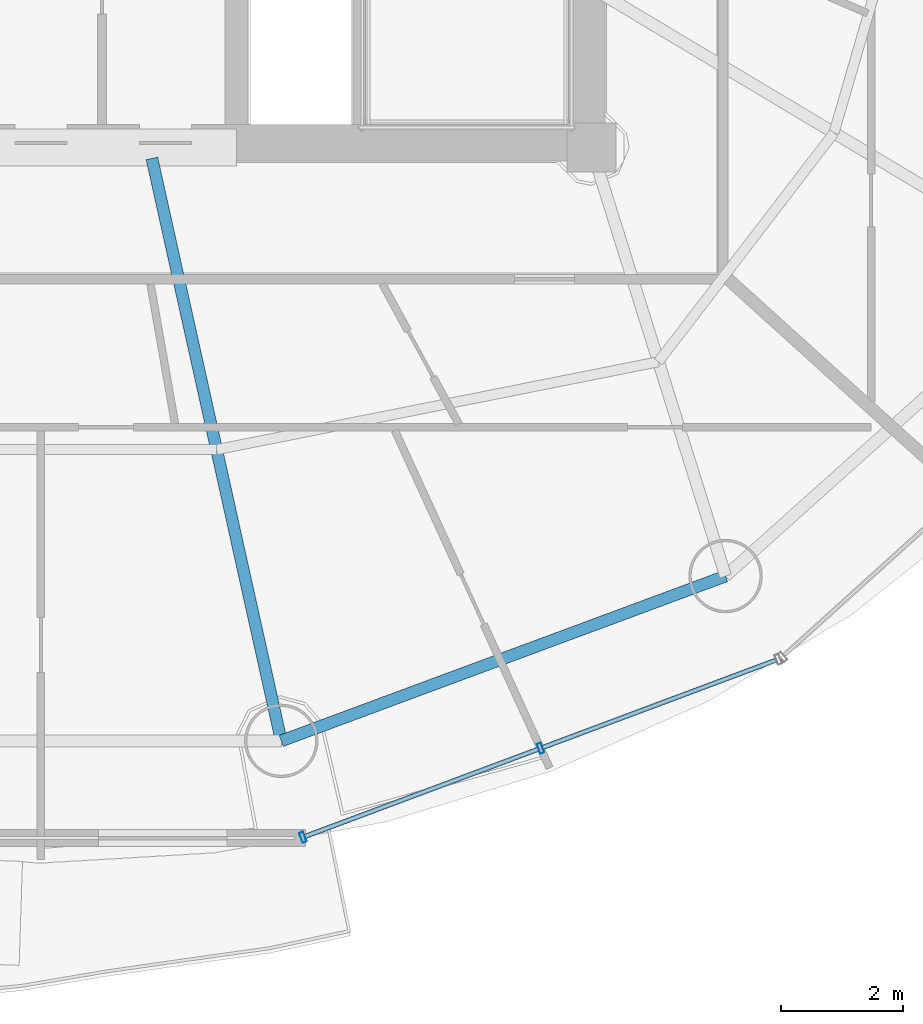
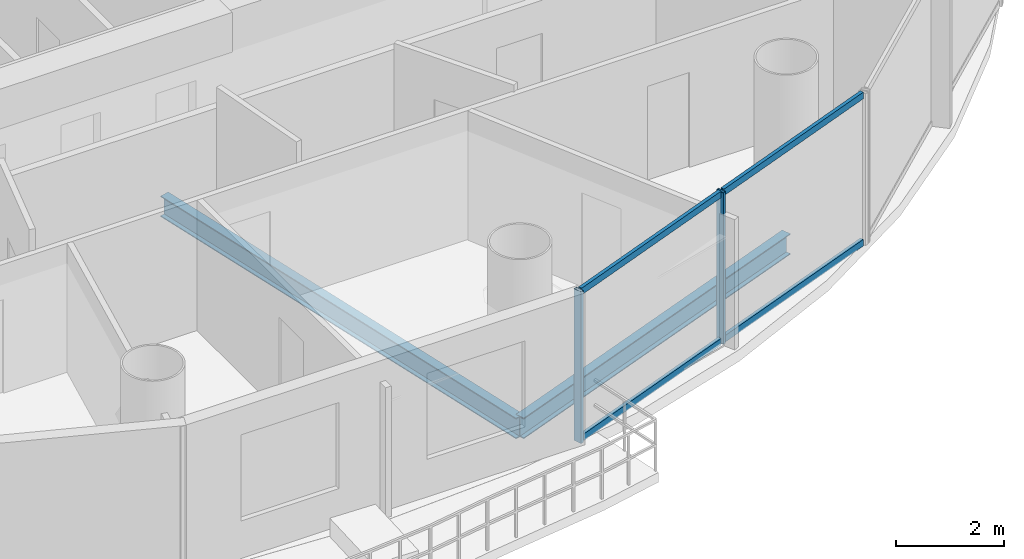
# One storey, part 5 of 26: 6 members, 2 beams, 1 element without a shape of its own.
"""IFC4 building model written with IfcOpenShell, lengths in metres."""

import ifcopenshell
import ifcopenshell.guid

model = None  # the IFC model being written
_history = None  # IfcOwnerHistory: only IFC2X3 demands one
_inside = {}  # id of a spatial element -> (the spatial element, [elements in it])
_under = {}  # id of a project, library or spatial element -> (it, [spatial elements below it])
_declared = {}  # id of a project -> (the project, [libraries it declares])
_typed = {}  # id of a type object -> (the type object, [elements of that type])
_made_of = {}  # id of a material, layer set ... -> (it, [elements and type objects made of it])


def new_model(schema):
    """Start an empty IFC model of exactly this schema.

    Asked for "IFC4X3", IfcOpenShell would pick the latest addendum, in which some entities
    have other attributes; the version numbers below select the first issue.
    IFC2X3 requires an IfcOwnerHistory on every rooted entity: one is made here for all.
    """
    global model, _history
    if schema == "IFC4X3":
        model = ifcopenshell.file(schema_version=(4, 3, 0, 0))
    else:
        model = ifcopenshell.file(schema=schema)
    _inside.clear()
    _under.clear()
    _declared.clear()
    _typed.clear()
    _made_of.clear()
    _history = None
    if model.schema == "IFC2X3":
        org = make("IfcOrganization", Name="unknown")
        user = make(
            "IfcPersonAndOrganization",
            ThePerson=make("IfcPerson", FamilyName="unknown"),
            TheOrganization=org,
        )
        app = make(
            "IfcApplication",
            ApplicationDeveloper=org,
            Version="unknown",
            ApplicationFullName="unknown",
            ApplicationIdentifier="unknown",
        )
        _history = make(
            "IfcOwnerHistory",
            OwningUser=user,
            OwningApplication=app,
            ChangeAction="ADDED",
            CreationDate=0,
        )
    return model


def make(cls, **values):
    """One entity of the class cls with the attributes given. An attribute that is None is left unset."""
    return model.create_entity(
        cls, **{name: value for name, value in values.items() if value is not None}
    )


def rooted(cls, **values):
    """An entity with a GlobalId (a new one), such as an element, a storey or a relation."""
    return make(cls, GlobalId=ifcopenshell.guid.new(), OwnerHistory=_history, **values)


def si_unit(unit_type, name, prefix=None):
    """IfcSIUnit, for example si_unit("LENGTHUNIT", "METRE", prefix="MILLI")."""
    return make("IfcSIUnit", UnitType=unit_type, Prefix=prefix, Name=name)


def assignment(units):
    """IfcUnitAssignment: the units of a project."""
    return None if units is None else make("IfcUnitAssignment", Units=units)


def point(xyz):
    """IfcCartesianPoint."""
    return None if xyz is None else make("IfcCartesianPoint", Coordinates=xyz)


def direction(xyz):
    """IfcDirection."""
    return None if xyz is None else make("IfcDirection", DirectionRatios=xyz)


def frame(location, z_axis=None, x_axis=None):
    """IfcAxis2Placement3D, a coordinate frame: its origin and axes. An axis left out is left unset."""
    return make(
        "IfcAxis2Placement3D",
        Location=point(location),
        Axis=direction(z_axis),
        RefDirection=direction(x_axis),
    )


def frame_2d(location, x_axis=None):
    """IfcAxis2Placement2D, a coordinate frame in the plane: its origin and x axis."""
    return make(
        "IfcAxis2Placement2D", Location=point(location), RefDirection=direction(x_axis)
    )


def origin():
    """The frame at (0, 0, 0) with its axes left unset."""
    return frame((0.0, 0.0, 0.0))


def origin_2d():
    """The frame at (0, 0) in the plane with its x axis left unset."""
    return frame_2d((0.0, 0.0))


def place(relative_to, where):
    """IfcLocalPlacement: puts the frame where relative to a parent placement (None: the world)."""
    return make(
        "IfcLocalPlacement", PlacementRelTo=relative_to, RelativePlacement=where
    )


def context(
    kind, dimensions, precision=None, world=None, true_north=None, identifier=None
):
    """IfcGeometricRepresentationContext, for example the 3D "Model" context."""
    return make(
        "IfcGeometricRepresentationContext",
        ContextIdentifier=identifier,
        ContextType=kind,
        CoordinateSpaceDimension=dimensions,
        Precision=precision,
        WorldCoordinateSystem=world,
        TrueNorth=true_north,
    )


def subcontext(parent, identifier, kind, view, scale=None):
    """IfcGeometricRepresentationSubContext, for example "Body" below "Model"."""
    return make(
        "IfcGeometricRepresentationSubContext",
        ContextIdentifier=identifier,
        ContextType=kind,
        ParentContext=parent,
        TargetScale=scale,
        TargetView=view,
    )


def project(units=None, contexts=None):
    """IfcProject with its units and contexts."""
    return rooted(
        "IfcProject",
        Name="project",
        RepresentationContexts=contexts,
        UnitsInContext=assignment(units),
    )


def spatial(cls, under=None, at=None, **own):
    """A site, building, storey or space (cls), placed at a placement, below another one or the project."""
    s = rooted(cls, ObjectPlacement=at, **own)
    if under is not None:
        _under.setdefault(under.id(), (under, []))[1].append(s)
    return s


def profile(cls, at=None, kind="AREA", **sizes):
    """A parametric profile (cls). Its sizes go by their IFC names, for example OverallWidth=200.0."""
    return make(cls, ProfileType=kind, Position=at, **sizes)


def hollow_rectangle(**sizes):
    """IfcRectangleHollowProfileDef."""
    return profile("IfcRectangleHollowProfileDef", **sizes)


def i_section(**sizes):
    """IfcIShapeProfileDef."""
    return profile("IfcIShapeProfileDef", **sizes)


def extrude(swept, where, along, depth):
    """IfcExtrudedAreaSolid: the profile swept, set in the frame where, extruded along a direction by depth."""
    return make(
        "IfcExtrudedAreaSolid",
        SweptArea=swept,
        Position=where,
        ExtrudedDirection=direction(along),
        Depth=depth,
    )


def shape(context_of_items, identifier, shape_type, items):
    """IfcShapeRepresentation: the items that make up one representation, for example the "Body"."""
    return make(
        "IfcShapeRepresentation",
        ContextOfItems=context_of_items,
        RepresentationIdentifier=identifier,
        RepresentationType=shape_type,
        Items=items,
    )


def source(mapping_origin, context_of_items, identifier, shape_type, items):
    """IfcRepresentationMap: a shape defined once, which mapped items show again and again."""
    return make(
        "IfcRepresentationMap",
        MappingOrigin=mapping_origin,
        MappedRepresentation=shape(context_of_items, identifier, shape_type, items),
    )


def transform(
    local_origin,
    x_axis=None,
    y_axis=None,
    z_axis=None,
    scale=None,
    scale2=None,
    scale3=None,
    uniform=True,
):
    """IfcCartesianTransformationOperator3D, or its non-uniform kind. x_axis, y_axis, z_axis: its Axis1, 2, 3."""
    if uniform:
        return make(
            "IfcCartesianTransformationOperator3D",
            Axis1=direction(x_axis),
            Axis2=direction(y_axis),
            LocalOrigin=point(local_origin),
            Scale=scale,
            Axis3=direction(z_axis),
        )
    return make(
        "IfcCartesianTransformationOperator3DnonUniform",
        Axis1=direction(x_axis),
        Axis2=direction(y_axis),
        LocalOrigin=point(local_origin),
        Scale=scale,
        Axis3=direction(z_axis),
        Scale2=scale2,
        Scale3=scale3,
    )


def mapped(mapping_source, mapping_target):
    """IfcMappedItem: shows the shape of a source again, moved by a transform."""
    return make(
        "IfcMappedItem", MappingSource=mapping_source, MappingTarget=mapping_target
    )


def material(Name=None, Category=None):
    """IfcMaterial."""
    return make("IfcMaterial", Name=Name, Category=Category)


def material_profile(
    of_material, cross_section, Name=None, Category=None, Priority=None
):
    """IfcMaterialProfile: a cross section and its material."""
    return make(
        "IfcMaterialProfile",
        Name=Name,
        Material=of_material,
        Profile=cross_section,
        Priority=Priority,
        Category=Category,
    )


def profile_set(profiles, Name=None, composite=None):
    """IfcMaterialProfileSet."""
    return make(
        "IfcMaterialProfileSet",
        Name=Name,
        MaterialProfiles=profiles,
        CompositeProfile=composite,
    )


def made_of(thing, what):
    """Note that an element or type object is made of a material, layer set ...; save() writes the relation."""
    if what is not None:
        _made_of.setdefault(what.id(), (what, []))[1].append(thing)
    return thing


def type_object(cls, material=None, **own):
    """A type object (cls), such as IfcWallType, which elements share."""
    return made_of(rooted(cls, **own), material)


def element(
    cls,
    number,
    at=None,
    inside=None,
    cuts=None,
    type_object=None,
    material=None,
    context=None,
    identifier="Body",
    shape_type=None,
    held_by="IfcProductDefinitionShape",
    body=None,
    shapes=None,
    **own,
):
    """One element of the class cls, such as IfcWall. Its Tag is "e" and its number.

    at: its placement. inside: the storey or other place that contains it. cuts: it is an
    opening in that element (IfcRelVoidsElement). A single representation is given by context,
    identifier, shape_type and body (its items); several are given by shapes. held_by: the class
    of the entity that holds the representations. save() writes the other relations.
    """
    e = rooted(cls, Tag="e%d" % number, ObjectPlacement=at, **own)
    if body is not None:
        shapes = [shape(context, identifier, shape_type, body)]
    if shapes is not None:
        e.Representation = make(held_by, Representations=shapes)
    if inside is not None:
        _inside.setdefault(inside.id(), (inside, []))[1].append(e)
    if cuts is not None:
        rooted(
            "IfcRelVoidsElement", RelatingBuildingElement=cuts, RelatedOpeningElement=e
        )
    if type_object is not None:
        _typed.setdefault(type_object.id(), (type_object, []))[1].append(e)
    return made_of(e, material)


def aggregate(whole, parts):
    """IfcRelAggregates: a whole, such as a stair, and the parts it consists of."""
    return rooted("IfcRelAggregates", RelatingObject=whole, RelatedObjects=parts)


def save(model, path):
    """Write the relations noted so far, then the file.

    IfcRelAggregates (storeys below a building ...), IfcRelContainedInSpatialStructure (elements
    in a storey), IfcRelDefinesByType, IfcRelAssociatesMaterial and IfcRelDeclares: one each for
    every whole, place, type object, material and project.
    """
    for whole, parts in _under.values():
        aggregate(whole, parts)
    for where, things in _inside.values():
        rooted(
            "IfcRelContainedInSpatialStructure",
            RelatedElements=things,
            RelatingStructure=where,
        )
    for kind, things in _typed.values():
        rooted("IfcRelDefinesByType", RelatedObjects=things, RelatingType=kind)
    for what, things in _made_of.values():
        rooted("IfcRelAssociatesMaterial", RelatedObjects=things, RelatingMaterial=what)
    for by, libraries in _declared.values():
        rooted("IfcRelDeclares", RelatingContext=by, RelatedDefinitions=libraries)
    model.write(path)


model = new_model("IFC4")

# Units and contexts
model_context = context("Model", 3, precision=1e-05, world=origin(), true_north=direction((-0.2419218956, 0.970295726276)))
body_context = subcontext(model_context, "Body", "Model", "MODEL_VIEW")
ifc_project = project(units=[si_unit("LENGTHUNIT", "METRE"), si_unit("AREAUNIT", "SQUARE_METRE"), si_unit("VOLUMEUNIT", "CUBIC_METRE"), si_unit("PLANEANGLEUNIT", "RADIAN"), si_unit("MASSUNIT", "GRAM", prefix="KILO")], contexts=[model_context])

# Site, building, storey
site_placement = place(None, origin())
site = spatial("IfcSite", under=ifc_project, at=site_placement, CompositionType="ELEMENT")
building_placement = place(site_placement, origin())
building = spatial("IfcBuilding", under=site, at=building_placement, Name="Cobrevalo Terracotta Tower", CompositionType="ELEMENT")
storey_placement = place(building_placement, frame((0.0, 0.0, 206.0)))
storey = spatial("IfcBuildingStorey", under=building, at=storey_placement, Name="L54", CompositionType="ELEMENT", Elevation=206.0)

# Beams
ifc_material_1 = material(Name="Steel S355", Category="steel")
ifc_material_profile_1 = material_profile(ifc_material_1, i_section(OverallWidth=0.194091796875, OverallDepth=0.468994140625, WebThickness=0.011474609375, FlangeThickness=0.0205078125, at=origin_2d()), Name="W 460x106")
ifc_profile_set_1 = profile_set([ifc_material_profile_1], Name="Steel S355")
beam_type_1 = type_object("IfcBeamType", Name="Structural Beam W 460x106 (Steel S355)", PredefinedType="BEAM", material=ifc_profile_set_1)
beam_1_placement = place(storey_placement, frame((41.93115234375, 9.096923828125, -0.49951171875), z_axis=(-0.216782061165, 0.976220025382, 0.0), x_axis=(-0.976220025382, -0.216782061165, 0.0)))
element("IfcBeam", 1, at=beam_1_placement, inside=storey, type_object=beam_type_1, Name="L54 radial floor girder 13", PredefinedType="BEAM", context=body_context, shape_type="SweptSolid", body=[
    extrude(i_section(OverallWidth=0.194091796875, OverallDepth=0.468994140625, WebThickness=0.011474609375, FlangeThickness=0.0205078125, at=origin_2d()), origin(), (0.0, 0.0, 1.0), 9.755126953125),
])
ifc_material_profile_2 = material_profile(ifc_material_1, i_section(OverallWidth=0.194091796875, OverallDepth=0.468994140625, WebThickness=0.011474609375, FlangeThickness=0.0205078125, at=origin_2d()), Name="W 460x106")
ifc_profile_set_2 = profile_set([ifc_material_profile_2], Name="Steel S355")
beam_type_2 = type_object("IfcBeamType", Name="Structural Spandrel W 460x106 (Steel S355)", PredefinedType="SPANDREL", material=ifc_profile_set_2)
beam_2_placement = place(storey_placement, frame((41.93115234375, 9.096923828125, -0.49951171875), z_axis=(0.937545996665, 0.347861328892, 0.0), x_axis=(-0.347861328892, 0.937545996665, 0.0)))
element("IfcBeam", 2, at=beam_2_placement, inside=storey, type_object=beam_type_2, Name="L54 perimeter ring spandrel 13", PredefinedType="SPANDREL", context=body_context, shape_type="SweptSolid", body=[
    extrude(i_section(OverallWidth=0.194091796875, OverallDepth=0.468994140625, WebThickness=0.011474609375, FlangeThickness=0.0205078125, at=origin_2d()), origin(), (0.0, 0.0, 1.0), 7.74755859375),
])

# Curtain wall, members
ifc_material_2 = material(Name="Anodized aluminium", Category="aluminium")
curtain_wall_type = type_object("IfcCurtainWallType", Name="Mid-tower high-wind unitised curtain wall CW-U2", PredefinedType="NOTDEFINED", material=ifc_material_2)
curtain_wall_placement = place(storey_placement, origin())
curtain_wall = element("IfcCurtainWall", 3, at=curtain_wall_placement, inside=storey, type_object=curtain_wall_type, Name="L54 curtain wall CW-L54-S13", PredefinedType="NOTDEFINED")
ifc_material_profile_3 = material_profile(ifc_material_2, hollow_rectangle(XDim=0.074951171875, YDim=0.14990234375, WallThickness=0.00439453125, at=origin_2d()), Name="CWT 75x150")
ifc_profile_set_3 = profile_set([ifc_material_profile_3], Name="Anodized aluminium")
member_type_1 = type_object("IfcMemberType", Name="Tower unitised aluminium transom 75x150", PredefinedType="USERDEFINED", material=ifc_profile_set_3)
shared_shape_1 = source(origin(), body_context, "Body", "SweptSolid", [
    extrude(hollow_rectangle(XDim=0.074951171875, YDim=0.14990234375, WallThickness=0.00439453125, at=origin_2d()), origin(), (0.0, 0.0, 1.0), 4.069580078125),
])
member_1_placement = place(storey_placement, frame((46.20849609375, 8.990478515625, 0.050048828125), z_axis=(0.936548420649, 0.350538237259, 0.0), x_axis=(-0.350538237259, 0.936548420649, 0.0)))
member_1 = element("IfcMember", 4, at=member_1_placement, type_object=member_type_1, Name="CW-L54-S13 transom B02-T1", ObjectType="TRANSOM", PredefinedType="USERDEFINED", context=body_context, shape_type="MappedRepresentation", body=[
    mapped(shared_shape_1, transform((0.0, 0.0, 0.0), scale=1.0)),
])
member_2_placement = place(storey_placement, frame((46.20849609375, 8.990478515625, 3.385009765625), z_axis=(0.936548420649, 0.350538237259, 0.0), x_axis=(-0.350538237259, 0.936548420649, 0.0)))
member_2 = element("IfcMember", 5, at=member_2_placement, type_object=member_type_1, Name="CW-L54-S13 transom B02-T2", ObjectType="TRANSOM", PredefinedType="USERDEFINED", context=body_context, shape_type="MappedRepresentation", body=[
    mapped(shared_shape_1, transform((0.0, 0.0, 0.0), scale=1.0)),
])
shared_shape_2 = source(origin(), body_context, "Body", "SweptSolid", [
    extrude(hollow_rectangle(XDim=0.074951171875, YDim=0.14990234375, WallThickness=0.00439453125, at=origin_2d()), origin(), (0.0, 0.0, 1.0), 4.06982421875),
])
member_3_placement = place(storey_placement, frame((42.322021484375, 7.535888671875, 0.050048828125), z_axis=(0.936555791772, 0.350518542873, 0.0), x_axis=(-0.350518542873, 0.936555791772, 0.0)))
member_3 = element("IfcMember", 6, at=member_3_placement, type_object=member_type_1, Name="CW-L54-S13 transom B01-T1", ObjectType="TRANSOM", PredefinedType="USERDEFINED", context=body_context, shape_type="MappedRepresentation", body=[
    mapped(shared_shape_2, transform((0.0, 0.0, 0.0), scale=1.0)),
])
member_4_placement = place(storey_placement, frame((42.322021484375, 7.535888671875, 3.385009765625), z_axis=(0.936555791772, 0.350518542873, 0.0), x_axis=(-0.350518542873, 0.936555791772, 0.0)))
member_4 = element("IfcMember", 7, at=member_4_placement, type_object=member_type_1, Name="CW-L54-S13 transom B01-T2", ObjectType="TRANSOM", PredefinedType="USERDEFINED", context=body_context, shape_type="MappedRepresentation", body=[
    mapped(shared_shape_2, transform((0.0, 0.0, 0.0), scale=1.0)),
])
ifc_material_profile_4 = material_profile(ifc_material_2, hollow_rectangle(XDim=0.070068359375, YDim=0.169921875, WallThickness=0.00439453125, at=origin_2d()), Name="CWM 70x170")
ifc_profile_set_4 = profile_set([ifc_material_profile_4], Name="Anodized aluminium")
member_type_2 = type_object("IfcMemberType", Name="Upper tower unitised mullion 70x170", PredefinedType="MULLION", material=ifc_profile_set_4)
shared_shape_3 = source(origin(), body_context, "Body", "SweptSolid", [
    extrude(hollow_rectangle(XDim=0.070068359375, YDim=0.169921875, WallThickness=0.00439453125, at=origin_2d()), origin(), (0.0, 0.0, 1.0), 3.43505859375),
])
member_5_placement = place(storey_placement, frame((42.28466796875, 7.52197265625, 0.0), z_axis=(0.0, 0.0, 1.0), x_axis=(0.936556004584, 0.350517974259, 0.0)))
member_5 = element("IfcMember", 8, at=member_5_placement, type_object=member_type_2, Name="CW-L54-S13 vertical mullion 01", PredefinedType="MULLION", context=body_context, shape_type="MappedRepresentation", body=[
    mapped(shared_shape_3, transform((0.0, 0.0, 0.0), scale=1.0)),
])
member_6_placement = place(storey_placement, frame((46.1708984375, 8.9765625, 0.0), z_axis=(0.0, 0.0, 1.0), x_axis=(0.936556004584, 0.350517974259, 0.0)))
member_6 = element("IfcMember", 9, at=member_6_placement, type_object=member_type_2, Name="CW-L54-S13 vertical mullion 02", PredefinedType="MULLION", context=body_context, shape_type="MappedRepresentation", body=[
    mapped(shared_shape_3, transform((0.0, 0.0, 0.0), scale=1.0)),
])
aggregate(curtain_wall, [member_5, member_6, member_3, member_4, member_1, member_2])

save(model, "model.ifc")
